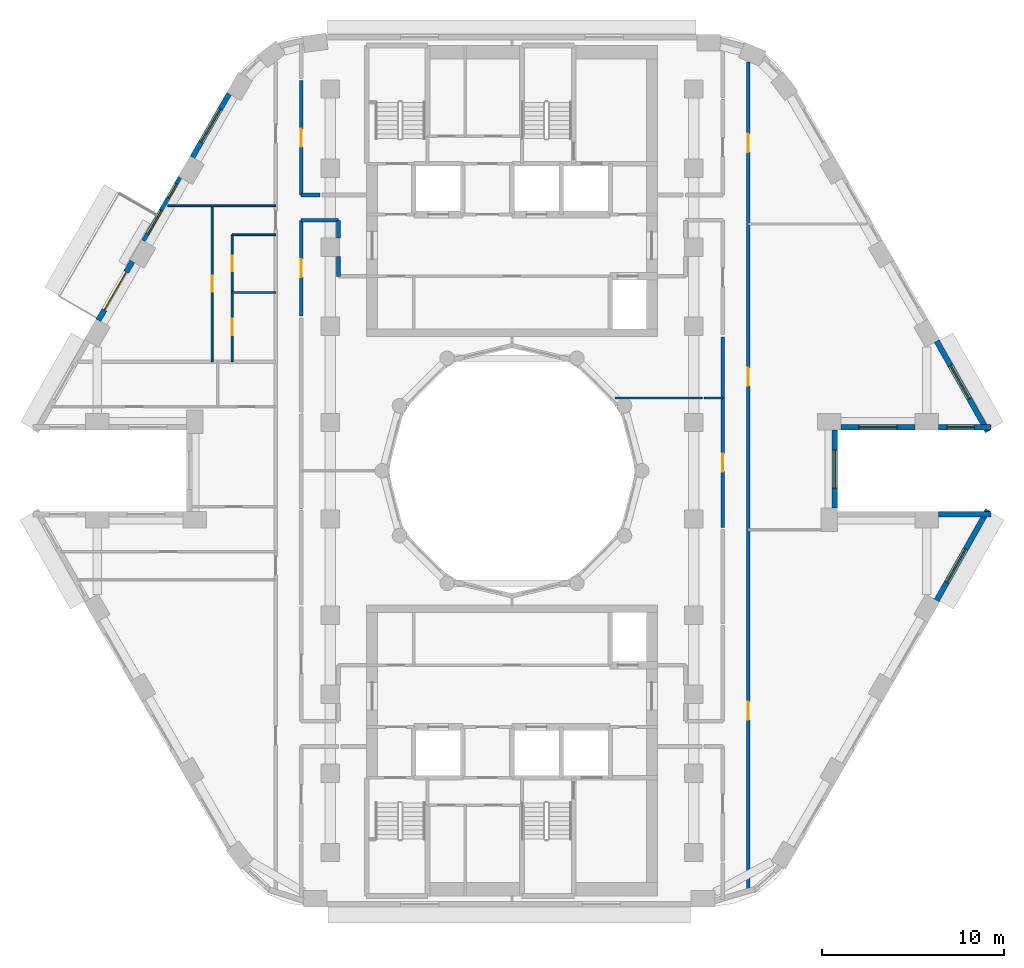
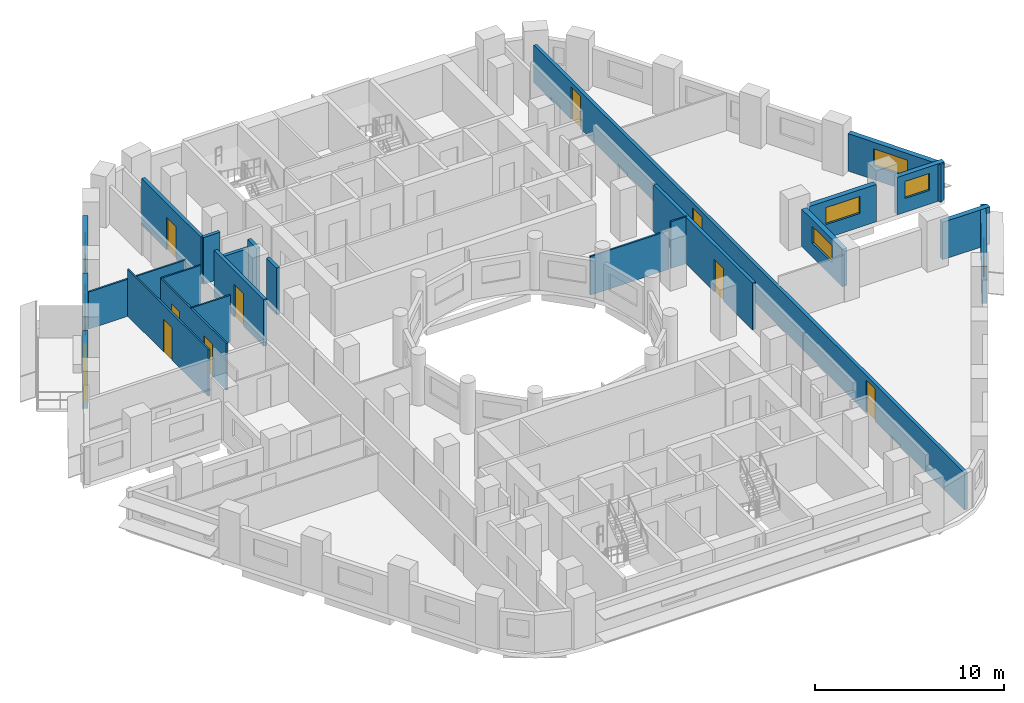
# One storey, part 6 of 13: 24 walls, 10 doors, 8 windows, 18 openings.
"""IFC4 building model written with IfcOpenShell, lengths in metres."""

import ifcopenshell
import ifcopenshell.guid

model = None  # the IFC model being written
_history = None  # IfcOwnerHistory: only IFC2X3 demands one
_inside = {}  # id of a spatial element -> (the spatial element, [elements in it])
_under = {}  # id of a project, library or spatial element -> (it, [spatial elements below it])
_declared = {}  # id of a project -> (the project, [libraries it declares])
_typed = {}  # id of a type object -> (the type object, [elements of that type])
_made_of = {}  # id of a material, layer set ... -> (it, [elements and type objects made of it])


def new_model(schema):
    """Start an empty IFC model of exactly this schema.

    Asked for "IFC4X3", IfcOpenShell would pick the latest addendum, in which some entities
    have other attributes; the version numbers below select the first issue.
    IFC2X3 requires an IfcOwnerHistory on every rooted entity: one is made here for all.
    """
    global model, _history
    if schema == "IFC4X3":
        model = ifcopenshell.file(schema_version=(4, 3, 0, 0))
    else:
        model = ifcopenshell.file(schema=schema)
    _inside.clear()
    _under.clear()
    _declared.clear()
    _typed.clear()
    _made_of.clear()
    _history = None
    if model.schema == "IFC2X3":
        org = make("IfcOrganization", Name="unknown")
        user = make(
            "IfcPersonAndOrganization",
            ThePerson=make("IfcPerson", FamilyName="unknown"),
            TheOrganization=org,
        )
        app = make(
            "IfcApplication",
            ApplicationDeveloper=org,
            Version="unknown",
            ApplicationFullName="unknown",
            ApplicationIdentifier="unknown",
        )
        _history = make(
            "IfcOwnerHistory",
            OwningUser=user,
            OwningApplication=app,
            ChangeAction="ADDED",
            CreationDate=0,
        )
    return model


def make(cls, **values):
    """One entity of the class cls with the attributes given. An attribute that is None is left unset."""
    return model.create_entity(
        cls, **{name: value for name, value in values.items() if value is not None}
    )


def rooted(cls, **values):
    """An entity with a GlobalId (a new one), such as an element, a storey or a relation."""
    return make(cls, GlobalId=ifcopenshell.guid.new(), OwnerHistory=_history, **values)


def si_unit(unit_type, name, prefix=None):
    """IfcSIUnit, for example si_unit("LENGTHUNIT", "METRE", prefix="MILLI")."""
    return make("IfcSIUnit", UnitType=unit_type, Prefix=prefix, Name=name)


def assignment(units):
    """IfcUnitAssignment: the units of a project."""
    return None if units is None else make("IfcUnitAssignment", Units=units)


def point(xyz):
    """IfcCartesianPoint."""
    return None if xyz is None else make("IfcCartesianPoint", Coordinates=xyz)


def direction(xyz):
    """IfcDirection."""
    return None if xyz is None else make("IfcDirection", DirectionRatios=xyz)


def frame(location, z_axis=None, x_axis=None):
    """IfcAxis2Placement3D, a coordinate frame: its origin and axes. An axis left out is left unset."""
    return make(
        "IfcAxis2Placement3D",
        Location=point(location),
        Axis=direction(z_axis),
        RefDirection=direction(x_axis),
    )


def frame_2d(location, x_axis=None):
    """IfcAxis2Placement2D, a coordinate frame in the plane: its origin and x axis."""
    return make(
        "IfcAxis2Placement2D", Location=point(location), RefDirection=direction(x_axis)
    )


def origin():
    """The frame at (0, 0, 0) with its axes left unset."""
    return frame((0.0, 0.0, 0.0))


def place(relative_to, where):
    """IfcLocalPlacement: puts the frame where relative to a parent placement (None: the world)."""
    return make(
        "IfcLocalPlacement", PlacementRelTo=relative_to, RelativePlacement=where
    )


def context(
    kind, dimensions, precision=None, world=None, true_north=None, identifier=None
):
    """IfcGeometricRepresentationContext, for example the 3D "Model" context."""
    return make(
        "IfcGeometricRepresentationContext",
        ContextIdentifier=identifier,
        ContextType=kind,
        CoordinateSpaceDimension=dimensions,
        Precision=precision,
        WorldCoordinateSystem=world,
        TrueNorth=true_north,
    )


def subcontext(parent, identifier, kind, view, scale=None):
    """IfcGeometricRepresentationSubContext, for example "Body" below "Model"."""
    return make(
        "IfcGeometricRepresentationSubContext",
        ContextIdentifier=identifier,
        ContextType=kind,
        ParentContext=parent,
        TargetScale=scale,
        TargetView=view,
    )


def project(units=None, contexts=None):
    """IfcProject with its units and contexts."""
    return rooted(
        "IfcProject",
        Name="project",
        RepresentationContexts=contexts,
        UnitsInContext=assignment(units),
    )


def spatial(cls, under=None, at=None, **own):
    """A site, building, storey or space (cls), placed at a placement, below another one or the project."""
    s = rooted(cls, ObjectPlacement=at, **own)
    if under is not None:
        _under.setdefault(under.id(), (under, []))[1].append(s)
    return s


def profile(cls, at=None, kind="AREA", **sizes):
    """A parametric profile (cls). Its sizes go by their IFC names, for example OverallWidth=200.0."""
    return make(cls, ProfileType=kind, Position=at, **sizes)


def rectangle(**sizes):
    """IfcRectangleProfileDef."""
    return profile("IfcRectangleProfileDef", **sizes)


def extrude(swept, where, along, depth):
    """IfcExtrudedAreaSolid: the profile swept, set in the frame where, extruded along a direction by depth."""
    return make(
        "IfcExtrudedAreaSolid",
        SweptArea=swept,
        Position=where,
        ExtrudedDirection=direction(along),
        Depth=depth,
    )


def shape(context_of_items, identifier, shape_type, items):
    """IfcShapeRepresentation: the items that make up one representation, for example the "Body"."""
    return make(
        "IfcShapeRepresentation",
        ContextOfItems=context_of_items,
        RepresentationIdentifier=identifier,
        RepresentationType=shape_type,
        Items=items,
    )


def material(Name=None, Category=None):
    """IfcMaterial."""
    return make("IfcMaterial", Name=Name, Category=Category)


def layer(
    of_material, thickness, ventilated=None, Name=None, Category=None, Priority=None
):
    """IfcMaterialLayer: one layer of a wall or slab, of a material (None: an air gap)."""
    return make(
        "IfcMaterialLayer",
        Material=of_material,
        LayerThickness=thickness,
        IsVentilated=ventilated,
        Name=Name,
        Category=Category,
        Priority=Priority,
    )


def layer_set(layers, Name=None):
    """IfcMaterialLayerSet."""
    return make("IfcMaterialLayerSet", MaterialLayers=layers, LayerSetName=Name)


def made_of(thing, what):
    """Note that an element or type object is made of a material, layer set ...; save() writes the relation."""
    if what is not None:
        _made_of.setdefault(what.id(), (what, []))[1].append(thing)
    return thing


def type_object(cls, material=None, **own):
    """A type object (cls), such as IfcWallType, which elements share."""
    return made_of(rooted(cls, **own), material)


def element(
    cls,
    number,
    at=None,
    inside=None,
    cuts=None,
    type_object=None,
    material=None,
    context=None,
    identifier="Body",
    shape_type=None,
    held_by="IfcProductDefinitionShape",
    body=None,
    shapes=None,
    **own,
):
    """One element of the class cls, such as IfcWall. Its Tag is "e" and its number.

    at: its placement. inside: the storey or other place that contains it. cuts: it is an
    opening in that element (IfcRelVoidsElement). A single representation is given by context,
    identifier, shape_type and body (its items); several are given by shapes. held_by: the class
    of the entity that holds the representations. save() writes the other relations.
    """
    e = rooted(cls, Tag="e%d" % number, ObjectPlacement=at, **own)
    if body is not None:
        shapes = [shape(context, identifier, shape_type, body)]
    if shapes is not None:
        e.Representation = make(held_by, Representations=shapes)
    if inside is not None:
        _inside.setdefault(inside.id(), (inside, []))[1].append(e)
    if cuts is not None:
        rooted(
            "IfcRelVoidsElement", RelatingBuildingElement=cuts, RelatedOpeningElement=e
        )
    if type_object is not None:
        _typed.setdefault(type_object.id(), (type_object, []))[1].append(e)
    return made_of(e, material)


def fill(opening, filler):
    """IfcRelFillsElement: the door or window that sits in an opening."""
    return rooted(
        "IfcRelFillsElement",
        RelatingOpeningElement=opening,
        RelatedBuildingElement=filler,
    )


def aggregate(whole, parts):
    """IfcRelAggregates: a whole, such as a stair, and the parts it consists of."""
    return rooted("IfcRelAggregates", RelatingObject=whole, RelatedObjects=parts)


def save(model, path):
    """Write the relations noted so far, then the file.

    IfcRelAggregates (storeys below a building ...), IfcRelContainedInSpatialStructure (elements
    in a storey), IfcRelDefinesByType, IfcRelAssociatesMaterial and IfcRelDeclares: one each for
    every whole, place, type object, material and project.
    """
    for whole, parts in _under.values():
        aggregate(whole, parts)
    for where, things in _inside.values():
        rooted(
            "IfcRelContainedInSpatialStructure",
            RelatedElements=things,
            RelatingStructure=where,
        )
    for kind, things in _typed.values():
        rooted("IfcRelDefinesByType", RelatedObjects=things, RelatingType=kind)
    for what, things in _made_of.values():
        rooted("IfcRelAssociatesMaterial", RelatedObjects=things, RelatingMaterial=what)
    for by, libraries in _declared.values():
        rooted("IfcRelDeclares", RelatingContext=by, RelatedDefinitions=libraries)
    model.write(path)


model = new_model("IFC4")

# Units and contexts
model_context = context("Model", 3, precision=1e-05, world=origin(), true_north=direction((0.0, 1.0)))
body_context = subcontext(model_context, "Body", "Model", "MODEL_VIEW")
ifc_project = project(units=[si_unit("LENGTHUNIT", "METRE"), si_unit("AREAUNIT", "SQUARE_METRE"), si_unit("VOLUMEUNIT", "CUBIC_METRE"), si_unit("PLANEANGLEUNIT", "RADIAN"), si_unit("MASSUNIT", "GRAM", prefix="KILO")], contexts=[model_context])

# Site, building, storey
site_placement = place(None, origin())
site = spatial("IfcSite", under=ifc_project, at=site_placement, CompositionType="ELEMENT")
building_placement = place(site_placement, origin())
building = spatial("IfcBuilding", under=site, at=building_placement, Name="Nakaniwa Court", CompositionType="ELEMENT")
storey_placement = place(building_placement, frame((0.0, 0.0, 137.10009765625)))
storey = spatial("IfcBuildingStorey", under=building, at=storey_placement, Name="L35", CompositionType="ELEMENT", Elevation=137.10009765625)

# Wall, opening, door
ifc_material_1 = material(Name="Acoustic double stud partition")
ifc_layer_1 = layer(ifc_material_1, 0.199951171875)
ifc_layer_set_1 = layer_set([ifc_layer_1], Name="Acoustic double stud partition")
wall_type_1 = type_object("IfcWallType", Name="Acoustic double stud partition 200", PredefinedType="PARTITIONING", material=ifc_layer_set_1)
wall_1_placement = place(storey_placement, frame((91.60009765625, 76.88720703125, 0.0), z_axis=(0.0, 0.0, 1.0), x_axis=(0.0, 1.0, 0.0)))
wall_1 = element("IfcWall", 1, at=wall_1_placement, inside=storey, type_object=wall_type_1, Name="Partition PW-069", PredefinedType="PARTITIONING", context=body_context, shape_type="SweptSolid", body=[
    extrude(rectangle(XDim=10.485595703125, YDim=0.199951171875, at=frame_2d((5.24267578125, 0.0))), origin(), (0.0, 0.0, 1.0), 3.02490234375),
])
opening_1_placement = place(wall_1_placement, frame((3.05810546875, 0.0, 0.0)))
opening_1 = element("IfcOpeningElement", 2, at=opening_1_placement, cuts=wall_1, Name="Opening D-02-03", PredefinedType="OPENING", context=body_context, shape_type="SweptSolid", body=[
    extrude(rectangle(XDim=1.0, YDim=2.10009765625, at=frame_2d((0.5, 1.050048828125))), frame((0.0, 0.10986328125, 0.0), z_axis=(0.0, -1.0, 0.0), x_axis=(1.0, 0.0, 0.0)), (0.0, 0.0, 1.0), 0.219970703125),
])
ifc_material_2 = material(Name="Solid core timber door set, black veneer", Category="wood")
door_type_1 = type_object("IfcDoorType", Name="Internal door 1000", OperationType="NOTDEFINED", PredefinedType="DOOR", material=ifc_material_2)
door_1_placement = place(opening_1_placement, origin())
door_1 = element("IfcDoor", 3, at=door_1_placement, inside=storey, type_object=door_type_1, Name="Door D-02-03 L35-023", OperationType="SINGLE_SWING_RIGHT", OverallHeight=2.10009765625, OverallWidth=1.0, PredefinedType="DOOR", context=body_context, shape_type="SweptSolid", body=[
    extrude(rectangle(XDim=1.0, YDim=2.10009765625, at=frame_2d((0.5, 1.050048828125))), frame((0.0, 0.02490234375, 0.0), z_axis=(0.0, -1.0, 0.0), x_axis=(1.0, 0.0, 0.0)), (0.0, 0.0, 1.0), 0.050048828125),
])
fill(opening_1, door_1)

# Wall, openings, doors
wall_2_placement = place(storey_placement, frame((93.0, 102.498046875, 0.0), z_axis=(0.0, 0.0, 1.0), x_axis=(0.0, -1.0, 0.0)))
wall_2 = element("IfcWall", 4, at=wall_2_placement, inside=storey, type_object=wall_type_1, Name="Partition PW-077", PredefinedType="PARTITIONING", context=body_context, shape_type="SweptSolid", body=[
    extrude(rectangle(XDim=45.664794921875, YDim=0.199951171875, at=frame_2d((22.83251953125, 0.0))), origin(), (0.0, 0.0, 1.0), 2.40478515625),
])
opening_2_placement = place(wall_2_placement, frame((35.2060546875, 0.0, 0.0)))
opening_2 = element("IfcOpeningElement", 5, at=opening_2_placement, cuts=wall_2, Name="Opening D-02-02", PredefinedType="OPENING", context=body_context, shape_type="SweptSolid", body=[
    extrude(rectangle(XDim=1.0, YDim=2.10009765625, at=frame_2d((0.5, 1.050048828125))), frame((0.0, 0.10986328125, 0.0), z_axis=(0.0, -1.0, 0.0), x_axis=(1.0, 0.0, 0.0)), (0.0, 0.0, 1.0), 0.219970703125),
])
opening_3_placement = place(wall_2_placement, frame((16.83203125, 0.0, 0.0)))
opening_3 = element("IfcOpeningElement", 6, at=opening_3_placement, cuts=wall_2, Name="Opening D-02-04", PredefinedType="OPENING", context=body_context, shape_type="SweptSolid", body=[
    extrude(rectangle(XDim=1.0, YDim=2.10009765625, at=frame_2d((0.5, 1.050048828125))), frame((0.0, 0.10986328125, 0.0), z_axis=(0.0, -1.0, 0.0), x_axis=(1.0, 0.0, 0.0)), (0.0, 0.0, 1.0), 0.219970703125),
])
opening_4_placement = place(wall_2_placement, frame((3.958984375, 0.0, 0.0)))
opening_4 = element("IfcOpeningElement", 7, at=opening_4_placement, cuts=wall_2, Name="Opening D-02-05", PredefinedType="OPENING", context=body_context, shape_type="SweptSolid", body=[
    extrude(rectangle(XDim=1.0, YDim=2.10009765625, at=frame_2d((0.5, 1.050048828125))), frame((0.0, 0.10986328125, 0.0), z_axis=(0.0, -1.0, 0.0), x_axis=(1.0, 0.0, 0.0)), (0.0, 0.0, 1.0), 0.219970703125),
])
door_2_placement = place(opening_2_placement, origin())
door_2 = element("IfcDoor", 8, at=door_2_placement, inside=storey, type_object=door_type_1, Name="Door D-02-02 L35-022", OperationType="SINGLE_SWING_LEFT", OverallHeight=2.10009765625, OverallWidth=1.0, PredefinedType="DOOR", context=body_context, shape_type="SweptSolid", body=[
    extrude(rectangle(XDim=1.0, YDim=2.10009765625, at=frame_2d((0.5, 1.050048828125))), frame((0.0, 0.02490234375, 0.0), z_axis=(0.0, -1.0, 0.0), x_axis=(1.0, 0.0, 0.0)), (0.0, 0.0, 1.0), 0.050048828125),
])
fill(opening_2, door_2)
door_3_placement = place(opening_3_placement, origin())
door_3 = element("IfcDoor", 9, at=door_3_placement, inside=storey, type_object=door_type_1, Name="Door D-02-04 L35-024", OperationType="SINGLE_SWING_LEFT", OverallHeight=2.10009765625, OverallWidth=1.0, PredefinedType="DOOR", context=body_context, shape_type="SweptSolid", body=[
    extrude(rectangle(XDim=1.0, YDim=2.10009765625, at=frame_2d((0.5, 1.050048828125))), frame((0.0, 0.02490234375, 0.0), z_axis=(0.0, -1.0, 0.0), x_axis=(1.0, 0.0, 0.0)), (0.0, 0.0, 1.0), 0.050048828125),
])
fill(opening_3, door_3)
door_4_placement = place(opening_4_placement, origin())
door_4 = element("IfcDoor", 10, at=door_4_placement, inside=storey, type_object=door_type_1, Name="Door D-02-05 L35-025", OperationType="SINGLE_SWING_RIGHT", OverallHeight=2.10009765625, OverallWidth=1.0, PredefinedType="DOOR", context=body_context, shape_type="SweptSolid", body=[
    extrude(rectangle(XDim=1.0, YDim=2.10009765625, at=frame_2d((0.5, 1.050048828125))), frame((0.0, 0.02490234375, 0.0), z_axis=(0.0, -1.0, 0.0), x_axis=(1.0, 0.0, 0.0)), (0.0, 0.0, 1.0), 0.050048828125),
])
fill(opening_4, door_4)

# Walls
wall_3_placement = place(storey_placement, frame((68.39990234375, 93.77490234375, 0.0), z_axis=(0.0, 0.0, 1.0), x_axis=(1.0, 0.0, 0.0)))
element("IfcWall", 11, at=wall_3_placement, inside=storey, type_object=wall_type_1, Name="Partition PW-086", PredefinedType="PARTITIONING", context=body_context, shape_type="SweptSolid", body=[
    extrude(rectangle(XDim=2.050048828125, YDim=0.199951171875, at=frame_2d((1.02490234375, 0.0))), origin(), (0.0, 0.0, 1.0), 2.5048828125),
])
wall_4_placement = place(storey_placement, frame((68.39990234375, 95.175048828125, 0.0), z_axis=(0.0, 0.0, 1.0), x_axis=(1.0, 0.0, 0.0)))
element("IfcWall", 12, at=wall_4_placement, inside=storey, type_object=wall_type_1, Name="Partition PW-090", PredefinedType="PARTITIONING", context=body_context, shape_type="SweptSolid", body=[
    extrude(rectangle(XDim=1.02294921875, YDim=0.199951171875, at=frame_2d((0.511474609375, 0.0))), origin(), (0.0, 0.0, 1.0), 3.02490234375),
])

# Wall, opening, door
wall_5_placement = place(storey_placement, frame((68.39990234375, 93.77490234375, 0.0), z_axis=(0.0, 0.0, 1.0), x_axis=(0.0, -1.0, 0.0)))
wall_5 = element("IfcWall", 13, at=wall_5_placement, inside=storey, type_object=wall_type_1, Name="Partition PW-100", PredefinedType="PARTITIONING", context=body_context, shape_type="SweptSolid", body=[
    extrude(rectangle(XDim=5.247802734375, YDim=0.199951171875, at=frame_2d((2.6240234375, 0.0))), origin(), (0.0, 0.0, 1.0), 3.02490234375),
])
opening_5_placement = place(wall_5_placement, frame((2.123046875, 0.0, 0.0)))
opening_5 = element("IfcOpeningElement", 14, at=opening_5_placement, cuts=wall_5, Name="Opening D-02-09", PredefinedType="OPENING", context=body_context, shape_type="SweptSolid", body=[
    extrude(rectangle(XDim=1.0, YDim=2.10009765625, at=frame_2d((0.5, 1.050048828125))), frame((0.0, 0.10986328125, 0.0), z_axis=(0.0, -1.0, 0.0), x_axis=(1.0, 0.0, 0.0)), (0.0, 0.0, 1.0), 0.219970703125),
])
door_5_placement = place(opening_5_placement, origin())
door_5 = element("IfcDoor", 15, at=door_5_placement, inside=storey, type_object=door_type_1, Name="Door D-02-09 L35-034", OperationType="SINGLE_SWING_LEFT", OverallHeight=2.10009765625, OverallWidth=1.0, PredefinedType="DOOR", context=body_context, shape_type="SweptSolid", body=[
    extrude(rectangle(XDim=1.0, YDim=2.10009765625, at=frame_2d((0.5, 1.050048828125))), frame((0.0, 0.02490234375, 0.0), z_axis=(0.0, -1.0, 0.0), x_axis=(1.0, 0.0, 0.0)), (0.0, 0.0, 1.0), 0.050048828125),
])
fill(opening_5, door_5)

wall_6_placement = place(storey_placement, frame((68.39990234375, 101.462890625, 0.0), z_axis=(0.0, 0.0, 1.0), x_axis=(0.0, -1.0, 0.0)))
wall_6 = element("IfcWall", 16, at=wall_6_placement, inside=storey, type_object=wall_type_1, Name="Partition PW-101", PredefinedType="PARTITIONING", context=body_context, shape_type="SweptSolid", body=[
    extrude(rectangle(XDim=6.287841796875, YDim=0.199951171875, at=frame_2d((3.14404296875, 0.0))), origin(), (0.0, 0.0, 1.0), 3.02490234375),
])
opening_6_placement = place(wall_6_placement, frame((2.64501953125, 0.0, 0.0)))
opening_6 = element("IfcOpeningElement", 17, at=opening_6_placement, cuts=wall_6, Name="Opening D-02-10", PredefinedType="OPENING", context=body_context, shape_type="SweptSolid", body=[
    extrude(rectangle(XDim=1.0, YDim=2.10009765625, at=frame_2d((0.5, 1.050048828125))), frame((0.0, 0.10986328125, 0.0), z_axis=(0.0, -1.0, 0.0), x_axis=(1.0, 0.0, 0.0)), (0.0, 0.0, 1.0), 0.219970703125),
])
door_6_placement = place(opening_6_placement, origin())
door_6 = element("IfcDoor", 18, at=door_6_placement, inside=storey, type_object=door_type_1, Name="Door D-02-10 L35-039", OperationType="SINGLE_SWING_RIGHT", OverallHeight=2.10009765625, OverallWidth=1.0, PredefinedType="DOOR", context=body_context, shape_type="SweptSolid", body=[
    extrude(rectangle(XDim=1.0, YDim=2.10009765625, at=frame_2d((0.5, 1.050048828125))), frame((0.0, 0.02490234375, 0.0), z_axis=(0.0, -1.0, 0.0), x_axis=(1.0, 0.0, 0.0)), (0.0, 0.0, 1.0), 0.050048828125),
])
fill(opening_6, door_6)

# Walls
wall_7_placement = place(storey_placement, frame((70.449951171875, 90.699951171875, 0.0), z_axis=(0.0, 0.0, 1.0), x_axis=(0.0, 1.0, 0.0)))
element("IfcWall", 19, at=wall_7_placement, inside=storey, type_object=wall_type_1, Name="Partition PW-106", PredefinedType="PARTITIONING", context=body_context, shape_type="SweptSolid", body=[
    extrude(rectangle(XDim=1.082763671875, YDim=0.199951171875, at=frame_2d((0.54150390625, 0.0))), origin(), (0.0, 0.0, 1.0), 3.02490234375),
])
wall_8_placement = place(storey_placement, frame((70.449951171875, 92.817138671875, 0.0), z_axis=(0.0, 0.0, 1.0), x_axis=(0.0, 1.0, 0.0)))
element("IfcWall", 20, at=wall_8_placement, inside=storey, type_object=wall_type_1, Name="Partition PW-107", PredefinedType="PARTITIONING", context=body_context, shape_type="SweptSolid", body=[
    extrude(rectangle(XDim=0.957763671875, YDim=0.199951171875, at=frame_2d((0.47900390625, 0.0))), origin(), (0.0, 0.0, 1.0), 3.02490234375),
])

# Wall, opening, window
ifc_material_3 = material(Name="Charcoal ceramic cladding")
ifc_layer_2 = layer(ifc_material_3, 0.02, Name="Ceramic cladding")
ifc_material_4 = material(Name="Ventilated air cavity")
ifc_layer_3 = layer(ifc_material_4, 0.04, ventilated=True, Name="Ventilated cavity")
ifc_material_5 = material(Name="Mineral wool insulation")
ifc_layer_4 = layer(ifc_material_5, 0.1, Name="Insulation")
ifc_material_6 = material(Name="Cement bonded sheathing board")
ifc_layer_5 = layer(ifc_material_6, 0.012, Name="Sheathing")
ifc_material_7 = material(Name="Cold-formed galvanised stud frame with mineral wool infill")
ifc_layer_6 = layer(ifc_material_7, 0.1, Name="Stud frame")
ifc_material_8 = material(Name="Fire-rated gypsum plasterboard lining")
ifc_layer_7 = layer(ifc_material_8, 0.028, Name="Lining")
ifc_layer_set_2 = layer_set([ifc_layer_2, ifc_layer_3, ifc_layer_4, ifc_layer_5, ifc_layer_6, ifc_layer_7], Name="Charcoal ceramic faced external wall system")
wall_type_2 = type_object("IfcWallType", Name="Black ceramic faced external wall 300", PredefinedType="SOLIDWALL", material=ifc_layer_set_2)
wall_9_placement = place(storey_placement, frame((98.1044921875, 82.39990234375, 0.0), z_axis=(0.0, 0.0, 1.0), x_axis=(1.0, 0.0, 0.0)))
wall_9 = element("IfcWall", 21, at=wall_9_placement, inside=storey, type_object=wall_type_2, Name="L35 external wall 00", PredefinedType="SOLIDWALL", context=body_context, shape_type="SweptSolid", body=[
    extrude(rectangle(XDim=4.072509765625, YDim=0.300048828125, at=frame_2d((2.0361328125, 0.0))), origin(), (0.0, 0.0, 1.0), 2.4248046875),
])
opening_7_placement = place(wall_9_placement, frame((0.986083984375, 0.0, 0.89990234375)))
opening_7 = element("IfcOpeningElement", 22, at=opening_7_placement, cuts=wall_9, Name="Opening W7.01", PredefinedType="OPENING", context=body_context, shape_type="SweptSolid", body=[
    extrude(rectangle(XDim=2.10009765625, YDim=1.10009765625, at=frame_2d((1.050048828125, 0.550048828125))), frame((0.0, 0.159912109375, 0.0), z_axis=(0.0, -1.0, 0.0), x_axis=(1.0, 0.0, 0.0)), (0.0, 0.0, 1.0), 0.320068359375),
])
ifc_material_9 = material(Name="Black anodised aluminium frame with dark low-E laminated double glazing", Category="aluminium")
window_type_1 = type_object("IfcWindowType", Name="Dark glass window 2100x1100 sill 900", PartitioningType="SINGLE_PANEL", PredefinedType="WINDOW", material=ifc_material_9)
window_1_placement = place(opening_7_placement, origin())
window_1 = element("IfcWindow", 23, at=window_1_placement, inside=storey, type_object=window_type_1, Name="L35 habitable room window 00-0", OverallHeight=1.10009765625, OverallWidth=2.10009765625, PartitioningType="SINGLE_PANEL", PredefinedType="WINDOW", context=body_context, shape_type="SweptSolid", body=[
    extrude(rectangle(XDim=2.10009765625, YDim=1.10009765625, at=frame_2d((1.050048828125, 0.550048828125))), frame((0.0, 0.030029296875, 0.0), z_axis=(0.0, -1.0, 0.0), x_axis=(1.0, 0.0, 0.0)), (0.0, 0.0, 1.0), 0.06005859375),
])
fill(opening_7, window_1)

wall_10_placement = place(storey_placement, frame((103.468994140625, 82.39990234375, 0.0), z_axis=(0.0, 0.0, 1.0), x_axis=(1.0, 0.0, 0.0)))
wall_10 = element("IfcWall", 24, at=wall_10_placement, inside=storey, type_object=wall_type_2, Name="L35 external wall 01", PredefinedType="SOLIDWALL", context=body_context, shape_type="SweptSolid", body=[
    extrude(rectangle(XDim=2.8876953125, YDim=0.300048828125, at=frame_2d((1.44384765625, 0.0))), origin(), (0.0, 0.0, 1.0), 2.4248046875),
])
opening_8_placement = place(wall_10_placement, frame((0.468994140625, 0.0, 0.89990234375)))
opening_8 = element("IfcOpeningElement", 25, at=opening_8_placement, cuts=wall_10, Name="Opening W5.02", PredefinedType="OPENING", context=body_context, shape_type="SweptSolid", body=[
    extrude(rectangle(XDim=1.5, YDim=1.10009765625, at=frame_2d((0.75, 0.550048828125))), frame((0.0, 0.159912109375, 0.0), z_axis=(0.0, -1.0, 0.0), x_axis=(1.0, 0.0, 0.0)), (0.0, 0.0, 1.0), 0.320068359375),
])
window_type_2 = type_object("IfcWindowType", Name="Dark glass window 1500x1100 sill 900", PartitioningType="SINGLE_PANEL", PredefinedType="WINDOW", material=ifc_material_9)
window_2_placement = place(opening_8_placement, origin())
window_2 = element("IfcWindow", 26, at=window_2_placement, inside=storey, type_object=window_type_2, Name="L35 habitable room window 01-0", OverallHeight=1.10009765625, OverallWidth=1.5, PartitioningType="SINGLE_PANEL", PredefinedType="WINDOW", context=body_context, shape_type="SweptSolid", body=[
    extrude(rectangle(XDim=1.5, YDim=1.10009765625, at=frame_2d((0.75, 0.550048828125))), frame((0.0, 0.030029296875, 0.0), z_axis=(0.0, -1.0, 0.0), x_axis=(1.0, 0.0, 0.0)), (0.0, 0.0, 1.0), 0.06005859375),
])
fill(opening_8, window_2)

wall_11_placement = place(storey_placement, frame((106.18603515625, 82.1533203125, 0.0), z_axis=(0.0, 0.0, 1.0), x_axis=(-0.492498306264, 0.87031340236, 0.0)))
wall_11 = element("IfcWall", 27, at=wall_11_placement, inside=storey, type_object=wall_type_2, Name="L35 external wall 02", PredefinedType="SOLIDWALL", context=body_context, shape_type="SweptSolid", body=[
    extrude(rectangle(XDim=5.7265625, YDim=0.300048828125, at=frame_2d((2.86328125, 0.0))), origin(), (0.0, 0.0, 1.0), 2.4248046875),
])
opening_9_placement = place(wall_11_placement, frame((2.076416015625, 0.0, 0.89990234375)))
opening_9 = element("IfcOpeningElement", 28, at=opening_9_placement, cuts=wall_11, Name="Opening W7.03", PredefinedType="OPENING", context=body_context, shape_type="SweptSolid", body=[
    extrude(rectangle(XDim=2.10009765625, YDim=1.10009765625, at=frame_2d((1.050048828125, 0.550048828125))), frame((0.0, 0.159912109375, 0.0), z_axis=(0.0, -1.0, 0.0), x_axis=(1.0, 0.0, 0.0)), (0.0, 0.0, 1.0), 0.320068359375),
])
window_3_placement = place(opening_9_placement, origin())
window_3 = element("IfcWindow", 29, at=window_3_placement, inside=storey, type_object=window_type_1, Name="L35 habitable room window 02-0", OverallHeight=1.10009765625, OverallWidth=2.10009765625, PartitioningType="SINGLE_PANEL", PredefinedType="WINDOW", context=body_context, shape_type="SweptSolid", body=[
    extrude(rectangle(XDim=2.10009765625, YDim=1.10009765625, at=frame_2d((1.050048828125, 0.550048828125))), frame((0.0, 0.030029296875, 0.0), z_axis=(0.0, -1.0, 0.0), x_axis=(1.0, 0.0, 0.0)), (0.0, 0.0, 1.0), 0.06005859375),
])
fill(opening_9, window_3)

wall_12_placement = place(storey_placement, frame((64.434814453125, 100.739990234375, 0.0), z_axis=(0.0, 0.0, 1.0), x_axis=(-0.500031546601, -0.86600718958, 0.0)))
wall_12 = element("IfcWall", 30, at=wall_12_placement, inside=storey, type_object=wall_type_2, Name="L35 external wall 11", PredefinedType="SOLIDWALL", context=body_context, shape_type="SweptSolid", body=[
    extrude(rectangle(XDim=4.033935546875, YDim=0.300048828125, at=frame_2d((2.01708984375, 0.0))), origin(), (0.0, 0.0, 1.0), 2.4248046875),
])
opening_10_placement = place(wall_12_placement, frame((0.967041015625, 0.0, 0.89990234375)))
opening_10 = element("IfcOpeningElement", 31, at=opening_10_placement, cuts=wall_12, Name="Opening W7.12", PredefinedType="OPENING", context=body_context, shape_type="SweptSolid", body=[
    extrude(rectangle(XDim=2.10009765625, YDim=1.10009765625, at=frame_2d((1.050048828125, 0.550048828125))), frame((0.0, 0.159912109375, 0.0), z_axis=(0.0, -1.0, 0.0), x_axis=(1.0, 0.0, 0.0)), (0.0, 0.0, 1.0), 0.320068359375),
])
window_4_placement = place(opening_10_placement, origin())
window_4 = element("IfcWindow", 32, at=window_4_placement, inside=storey, type_object=window_type_1, Name="L35 habitable room window 11-0", OverallHeight=1.10009765625, OverallWidth=2.10009765625, PartitioningType="SINGLE_PANEL", PredefinedType="WINDOW", context=body_context, shape_type="SweptSolid", body=[
    extrude(rectangle(XDim=2.10009765625, YDim=1.10009765625, at=frame_2d((1.050048828125, 0.550048828125))), frame((0.0, 0.030029296875, 0.0), z_axis=(0.0, -1.0, 0.0), x_axis=(1.0, 0.0, 0.0)), (0.0, 0.0, 1.0), 0.06005859375),
])
fill(opening_10, window_4)

# Wall, openings, windows
wall_13_placement = place(storey_placement, frame((61.771728515625, 96.127685546875, 0.0), z_axis=(0.0, 0.0, 1.0), x_axis=(-0.500031546601, -0.86600718958, 0.0)))
wall_13 = element("IfcWall", 33, at=wall_13_placement, inside=storey, type_object=wall_type_2, Name="L35 external wall 12", PredefinedType="SOLIDWALL", context=body_context, shape_type="SweptSolid", body=[
    extrude(rectangle(XDim=4.033935546875, YDim=0.300048828125, at=frame_2d((2.01708984375, 0.0))), origin(), (0.0, 0.0, 1.0), 2.4248046875),
])
opening_11_placement = place(wall_13_placement, frame((0.4052734375, 0.0, 0.89990234375)))
opening_11 = element("IfcOpeningElement", 34, at=opening_11_placement, cuts=wall_13, Name="Opening W9.13", PredefinedType="OPENING", context=body_context, shape_type="SweptSolid", body=[
    extrude(rectangle(XDim=0.89990234375, YDim=1.10009765625, at=frame_2d((0.449951171875, 0.550048828125))), frame((0.0, 0.159912109375, 0.0), z_axis=(0.0, -1.0, 0.0), x_axis=(1.0, 0.0, 0.0)), (0.0, 0.0, 1.0), 0.320068359375),
])
opening_12_placement = place(wall_13_placement, frame((2.09765625, 0.0, 0.89990234375)))
opening_12 = element("IfcOpeningElement", 35, at=opening_12_placement, cuts=wall_13, Name="Opening W5.14", PredefinedType="OPENING", context=body_context, shape_type="SweptSolid", body=[
    extrude(rectangle(XDim=1.5, YDim=1.10009765625, at=frame_2d((0.75, 0.550048828125))), frame((0.0, 0.159912109375, 0.0), z_axis=(0.0, -1.0, 0.0), x_axis=(1.0, 0.0, 0.0)), (0.0, 0.0, 1.0), 0.320068359375),
])
window_5_placement = place(opening_12_placement, origin())
window_5 = element("IfcWindow", 36, at=window_5_placement, inside=storey, type_object=window_type_2, Name="L35 living window 12-1", OverallHeight=1.10009765625, OverallWidth=1.5, PartitioningType="SINGLE_PANEL", PredefinedType="WINDOW", context=body_context, shape_type="SweptSolid", body=[
    extrude(rectangle(XDim=1.5, YDim=1.10009765625, at=frame_2d((0.75, 0.550048828125))), frame((0.0, 0.030029296875, 0.0), z_axis=(0.0, -1.0, 0.0), x_axis=(1.0, 0.0, 0.0)), (0.0, 0.0, 1.0), 0.06005859375),
])
fill(opening_12, window_5)
window_type_3 = type_object("IfcWindowType", Name="Dark glass window 900x1100 sill 900", PartitioningType="SINGLE_PANEL", PredefinedType="WINDOW", material=ifc_material_9)
window_6_placement = place(opening_11_placement, origin())
window_6 = element("IfcWindow", 37, at=window_6_placement, inside=storey, type_object=window_type_3, Name="L35 habitable room window 12-0", OverallHeight=1.10009765625, OverallWidth=0.89990234375, PartitioningType="SINGLE_PANEL", PredefinedType="WINDOW", context=body_context, shape_type="SweptSolid", body=[
    extrude(rectangle(XDim=0.89990234375, YDim=1.10009765625, at=frame_2d((0.449951171875, 0.550048828125))), frame((0.0, 0.030029296875, 0.0), z_axis=(0.0, -1.0, 0.0), x_axis=(1.0, 0.0, 0.0)), (0.0, 0.0, 1.0), 0.06005859375),
])
fill(opening_11, window_6)

# Wall, opening, door
wall_14_placement = place(storey_placement, frame((59.108642578125, 91.515380859375, 0.0), z_axis=(0.0, 0.0, 1.0), x_axis=(-0.499933594891, -0.866063739398, 0.0)))
wall_14 = element("IfcWall", 38, at=wall_14_placement, inside=storey, type_object=wall_type_2, Name="L35 external wall 13", PredefinedType="SOLIDWALL", context=body_context, shape_type="SweptSolid", body=[
    extrude(rectangle(XDim=3.73681640625, YDim=0.300048828125, at=frame_2d((1.868408203125, 0.0))), origin(), (0.0, 0.0, 1.0), 2.4248046875),
])
opening_13_placement = place(wall_14_placement, frame((0.66845703125, 0.0, 0.0)))
opening_13 = element("IfcOpeningElement", 39, at=opening_13_placement, cuts=wall_14, Name="Opening XD13.01", PredefinedType="OPENING", context=body_context, shape_type="SweptSolid", body=[
    extrude(rectangle(XDim=2.39990234375, YDim=2.0, at=frame_2d((1.199951171875, 1.0))), frame((0.0, 0.159912109375, 0.0), z_axis=(0.0, -1.0, 0.0), x_axis=(1.0, 0.0, 0.0)), (0.0, 0.0, 1.0), 0.320068359375),
])
ifc_material_10 = material(Name="Black powder-coated aluminium frame with dark laminated glass", Category="aluminium")
door_type_2 = type_object("IfcDoorType", Name="Balcony sliding door 2400x2000", OperationType="DOUBLE_DOOR_SLIDING", PredefinedType="DOOR", material=ifc_material_10)
door_7_placement = place(opening_13_placement, origin())
door_7 = element("IfcDoor", 40, at=door_7_placement, inside=storey, type_object=door_type_2, Name="L35 balcony sliding door 01", OperationType="DOUBLE_DOOR_SLIDING", OverallHeight=2.0, OverallWidth=2.39990234375, PredefinedType="DOOR", context=body_context, shape_type="SweptSolid", body=[
    extrude(rectangle(XDim=2.39990234375, YDim=2.0, at=frame_2d((1.199951171875, 1.0))), frame((0.0, 0.02490234375, 0.0), z_axis=(0.0, -1.0, 0.0), x_axis=(1.0, 0.0, 0.0)), (0.0, 0.0, 1.0), 0.050048828125),
])
fill(opening_13, door_7)

# Wall, opening, window
wall_15_placement = place(storey_placement, frame((103.36572265625, 72.86279296875, 0.0), z_axis=(0.0, 0.0, 1.0), x_axis=(0.492498306264, 0.87031340236, 0.0)))
wall_15 = element("IfcWall", 41, at=wall_15_placement, inside=storey, type_object=wall_type_2, Name="L35 external wall 32", PredefinedType="SOLIDWALL", context=body_context, shape_type="SweptSolid", body=[
    extrude(rectangle(XDim=5.7265625, YDim=0.300048828125, at=frame_2d((2.86328125, 0.0))), origin(), (0.0, 0.0, 1.0), 2.4248046875),
])
opening_14_placement = place(wall_15_placement, frame((1.147705078125, 0.0, 0.89990234375)))
opening_14 = element("IfcOpeningElement", 42, at=opening_14_placement, cuts=wall_15, Name="Opening W7.33", PredefinedType="OPENING", context=body_context, shape_type="SweptSolid", body=[
    extrude(rectangle(XDim=2.10009765625, YDim=1.10009765625, at=frame_2d((1.050048828125, 0.550048828125))), frame((0.0, 0.159912109375, 0.0), z_axis=(0.0, -1.0, 0.0), x_axis=(1.0, 0.0, 0.0)), (0.0, 0.0, 1.0), 0.320068359375),
])
window_7_placement = place(opening_14_placement, origin())
window_7 = element("IfcWindow", 43, at=window_7_placement, inside=storey, type_object=window_type_1, Name="L35 habitable room window 32-0", OverallHeight=1.10009765625, OverallWidth=2.10009765625, PartitioningType="SINGLE_PANEL", PredefinedType="WINDOW", context=body_context, shape_type="SweptSolid", body=[
    extrude(rectangle(XDim=2.10009765625, YDim=1.10009765625, at=frame_2d((1.050048828125, 0.550048828125))), frame((0.0, 0.030029296875, 0.0), z_axis=(0.0, -1.0, 0.0), x_axis=(1.0, 0.0, 0.0)), (0.0, 0.0, 1.0), 0.06005859375),
])
fill(opening_14, window_7)

# Wall
wall_16_placement = place(storey_placement, frame((106.356689453125, 77.60009765625, 0.0), z_axis=(0.0, 0.0, 1.0), x_axis=(-1.0, 0.0, 0.0)))
element("IfcWall", 44, at=wall_16_placement, inside=storey, type_object=wall_type_2, Name="L35 external wall 33", PredefinedType="SOLIDWALL", context=body_context, shape_type="SweptSolid", body=[
    extrude(rectangle(XDim=2.8876953125, YDim=0.300048828125, at=frame_2d((1.44384765625, 0.0))), origin(), (0.0, 0.0, 1.0), 2.4248046875),
])

# Wall, opening, window
wall_17_placement = place(storey_placement, frame((97.75830078125, 77.946044921875, 0.0), z_axis=(0.0, 0.0, 1.0), x_axis=(0.0, 1.0, 0.0)))
wall_17 = element("IfcWall", 45, at=wall_17_placement, inside=storey, type_object=wall_type_2, Name="L35 external wall 35", PredefinedType="SOLIDWALL", context=body_context, shape_type="SweptSolid", body=[
    extrude(rectangle(XDim=4.307861328125, YDim=0.300048828125, at=frame_2d((2.15380859375, 0.0))), origin(), (0.0, 0.0, 1.0), 2.4248046875),
])
opening_15_placement = place(wall_17_placement, frame((1.10400390625, 0.0, 0.89990234375)))
opening_15 = element("IfcOpeningElement", 46, at=opening_15_placement, cuts=wall_17, Name="Opening W7.34", PredefinedType="OPENING", context=body_context, shape_type="SweptSolid", body=[
    extrude(rectangle(XDim=2.10009765625, YDim=1.10009765625, at=frame_2d((1.050048828125, 0.550048828125))), frame((0.0, 0.159912109375, 0.0), z_axis=(0.0, -1.0, 0.0), x_axis=(1.0, 0.0, 0.0)), (0.0, 0.0, 1.0), 0.320068359375),
])
window_8_placement = place(opening_15_placement, origin())
window_8 = element("IfcWindow", 47, at=window_8_placement, inside=storey, type_object=window_type_1, Name="L35 habitable room window 35-0", OverallHeight=1.10009765625, OverallWidth=2.10009765625, PartitioningType="SINGLE_PANEL", PredefinedType="WINDOW", context=body_context, shape_type="SweptSolid", body=[
    extrude(rectangle(XDim=2.10009765625, YDim=1.10009765625, at=frame_2d((1.050048828125, 0.550048828125))), frame((0.0, 0.030029296875, 0.0), z_axis=(0.0, -1.0, 0.0), x_axis=(1.0, 0.0, 0.0)), (0.0, 0.0, 1.0), 0.06005859375),
])
fill(opening_15, window_8)

# Walls
ifc_material_11 = material(Name="Single stud plasterboard partition")
ifc_layer_8 = layer(ifc_material_11, 0.10009765625)
ifc_layer_set_3 = layer_set([ifc_layer_8], Name="Single stud plasterboard partition")
wall_type_3 = type_object("IfcWallType", Name="Single stud plasterboard partition 100", PredefinedType="PARTITIONING", material=ifc_layer_set_3)
wall_18_placement = place(storey_placement, frame((85.67333984375, 84.0, 0.0), z_axis=(0.0, 0.0, 1.0), x_axis=(1.0, 0.0, 0.0)))
element("IfcWall", 48, at=wall_18_placement, inside=storey, type_object=wall_type_3, Name="Partition PW-113", PredefinedType="PARTITIONING", context=body_context, shape_type="SweptSolid", body=[
    extrude(rectangle(XDim=4.78662109375, YDim=0.10009765625, at=frame_2d((2.393310546875, 0.0))), origin(), (0.0, 0.0, 1.0), 2.5048828125),
])
wall_19_placement = place(storey_placement, frame((90.580078125, 84.0, 0.0), z_axis=(0.0, 0.0, 1.0), x_axis=(1.0, 0.0, 0.0)))
element("IfcWall", 49, at=wall_19_placement, inside=storey, type_object=wall_type_3, Name="Partition PW-114", PredefinedType="PARTITIONING", context=body_context, shape_type="SweptSolid", body=[
    extrude(rectangle(XDim=1.01904296875, YDim=0.10009765625, at=frame_2d((0.509521484375, 0.0))), origin(), (0.0, 0.0, 1.0), 3.02490234375),
])
wall_20_placement = place(storey_placement, frame((64.59912109375, 89.80908203125, 0.0), z_axis=(0.0, 0.0, 1.0), x_axis=(1.0, 0.0, 0.0)))
element("IfcWall", 50, at=wall_20_placement, inside=storey, type_object=wall_type_3, Name="Partition PW-123", PredefinedType="PARTITIONING", context=body_context, shape_type="SweptSolid", body=[
    extrude(rectangle(XDim=2.39990234375, YDim=0.10009765625, at=frame_2d((1.199951171875, 0.0))), origin(), (0.0, 0.0, 1.0), 3.02490234375),
])

# Wall, openings, doors
wall_21_placement = place(storey_placement, frame((64.59912109375, 92.983154296875, 0.0), z_axis=(0.0, 0.0, 1.0), x_axis=(0.0, -1.0, 0.0)))
wall_21 = element("IfcWall", 51, at=wall_21_placement, inside=storey, type_object=wall_type_3, Name="Partition PW-124", PredefinedType="PARTITIONING", context=body_context, shape_type="SweptSolid", body=[
    extrude(rectangle(XDim=6.983154296875, YDim=0.10009765625, at=frame_2d((3.49169921875, 0.0))), origin(), (0.0, 0.0, 1.0), 3.02490234375),
])
opening_16_placement = place(wall_21_placement, frame((4.62890625, 0.0, 0.0)))
opening_16 = element("IfcOpeningElement", 52, at=opening_16_placement, cuts=wall_21, Name="Opening D-33-04", PredefinedType="OPENING", context=body_context, shape_type="SweptSolid", body=[
    extrude(rectangle(XDim=0.89990234375, YDim=2.10009765625, at=frame_2d((0.449951171875, 1.050048828125))), frame((0.0, 0.06005859375, 0.0), z_axis=(0.0, -1.0, 0.0), x_axis=(1.0, 0.0, 0.0)), (0.0, 0.0, 1.0), 0.1201171875),
])
opening_17_placement = place(wall_21_placement, frame((1.162109375, 0.0, 0.0)))
opening_17 = element("IfcOpeningElement", 53, at=opening_17_placement, cuts=wall_21, Name="Opening D-03-02", PredefinedType="OPENING", context=body_context, shape_type="SweptSolid", body=[
    extrude(rectangle(XDim=0.85009765625, YDim=2.10009765625, at=frame_2d((0.425048828125, 1.050048828125))), frame((0.0, 0.06005859375, 0.0), z_axis=(0.0, -1.0, 0.0), x_axis=(1.0, 0.0, 0.0)), (0.0, 0.0, 1.0), 0.1201171875),
])
ifc_material_12 = material(Name="Moisture sealed timber door set", Category="wood")
door_type_3 = type_object("IfcDoorType", Name="Bathroom door 850", OperationType="NOTDEFINED", PredefinedType="DOOR", material=ifc_material_12)
door_8_placement = place(opening_17_placement, origin())
door_8 = element("IfcDoor", 54, at=door_8_placement, inside=storey, type_object=door_type_3, Name="Door D-03-02 L35-037", OperationType="SINGLE_SWING_RIGHT", OverallHeight=2.10009765625, OverallWidth=0.85009765625, PredefinedType="DOOR", context=body_context, shape_type="SweptSolid", body=[
    extrude(rectangle(XDim=0.85009765625, YDim=2.10009765625, at=frame_2d((0.425048828125, 1.050048828125))), frame((0.0, 0.02490234375, 0.0), z_axis=(0.0, -1.0, 0.0), x_axis=(1.0, 0.0, 0.0)), (0.0, 0.0, 1.0), 0.050048828125),
])
fill(opening_17, door_8)
door_type_4 = type_object("IfcDoorType", Name="Internal door 900", OperationType="NOTDEFINED", PredefinedType="DOOR", material=ifc_material_2)
door_9_placement = place(opening_16_placement, origin())
door_9 = element("IfcDoor", 55, at=door_9_placement, inside=storey, type_object=door_type_4, Name="Door D-33-04 L35-036", OperationType="SINGLE_SWING_LEFT", OverallHeight=2.10009765625, OverallWidth=0.89990234375, PredefinedType="DOOR", context=body_context, shape_type="SweptSolid", body=[
    extrude(rectangle(XDim=0.89990234375, YDim=2.10009765625, at=frame_2d((0.449951171875, 1.050048828125))), frame((0.0, 0.02490234375, 0.0), z_axis=(0.0, -1.0, 0.0), x_axis=(1.0, 0.0, 0.0)), (0.0, 0.0, 1.0), 0.050048828125),
])
fill(opening_16, door_9)

# Wall
wall_22_placement = place(storey_placement, frame((64.59912109375, 92.98291015625, 0.0), z_axis=(0.0, 0.0, 1.0), x_axis=(1.0, 0.0, 0.0)))
element("IfcWall", 56, at=wall_22_placement, inside=storey, type_object=wall_type_3, Name="Partition PW-125", PredefinedType="PARTITIONING", context=body_context, shape_type="SweptSolid", body=[
    extrude(rectangle(XDim=2.39990234375, YDim=0.10009765625, at=frame_2d((1.199951171875, 0.0))), origin(), (0.0, 0.0, 1.0), 3.02490234375),
])

# Wall, opening, door
wall_23_placement = place(storey_placement, frame((63.4990234375, 86.0, 0.0), z_axis=(0.0, 0.0, 1.0), x_axis=(0.0, 1.0, 0.0)))
wall_23 = element("IfcWall", 57, at=wall_23_placement, inside=storey, type_object=wall_type_3, Name="Partition PW-126", PredefinedType="PARTITIONING", context=body_context, shape_type="SweptSolid", body=[
    extrude(rectangle(XDim=8.583251953125, YDim=0.10009765625, at=frame_2d((4.29150390625, 0.0))), origin(), (0.0, 0.0, 1.0), 3.02490234375),
])
opening_18_placement = place(wall_23_placement, frame((3.842041015625, 0.0, 0.0)))
opening_18 = element("IfcOpeningElement", 58, at=opening_18_placement, cuts=wall_23, Name="Opening D-33-05", PredefinedType="OPENING", context=body_context, shape_type="SweptSolid", body=[
    extrude(rectangle(XDim=0.89990234375, YDim=2.10009765625, at=frame_2d((0.449951171875, 1.050048828125))), frame((0.0, 0.06005859375, 0.0), z_axis=(0.0, -1.0, 0.0), x_axis=(1.0, 0.0, 0.0)), (0.0, 0.0, 1.0), 0.1201171875),
])
door_10_placement = place(opening_18_placement, origin())
door_10 = element("IfcDoor", 59, at=door_10_placement, inside=storey, type_object=door_type_4, Name="Door D-33-05 L35-038", OperationType="SINGLE_SWING_LEFT", OverallHeight=2.10009765625, OverallWidth=0.89990234375, PredefinedType="DOOR", context=body_context, shape_type="SweptSolid", body=[
    extrude(rectangle(XDim=0.89990234375, YDim=2.10009765625, at=frame_2d((0.449951171875, 1.050048828125))), frame((0.0, 0.02490234375, 0.0), z_axis=(0.0, -1.0, 0.0), x_axis=(1.0, 0.0, 0.0)), (0.0, 0.0, 1.0), 0.050048828125),
])
fill(opening_18, door_10)

# Wall
wall_24_placement = place(storey_placement, frame((61.05322265625, 94.5830078125, 0.0), z_axis=(0.0, 0.0, 1.0), x_axis=(1.0, 0.0, 0.0)))
element("IfcWall", 60, at=wall_24_placement, inside=storey, type_object=wall_type_3, Name="Partition PW-127", PredefinedType="PARTITIONING", context=body_context, shape_type="SweptSolid", body=[
    extrude(rectangle(XDim=5.94580078125, YDim=0.10009765625, at=frame_2d((2.972900390625, 0.0))), origin(), (0.0, 0.0, 1.0), 2.40478515625),
])

save(model, "model.ifc")
